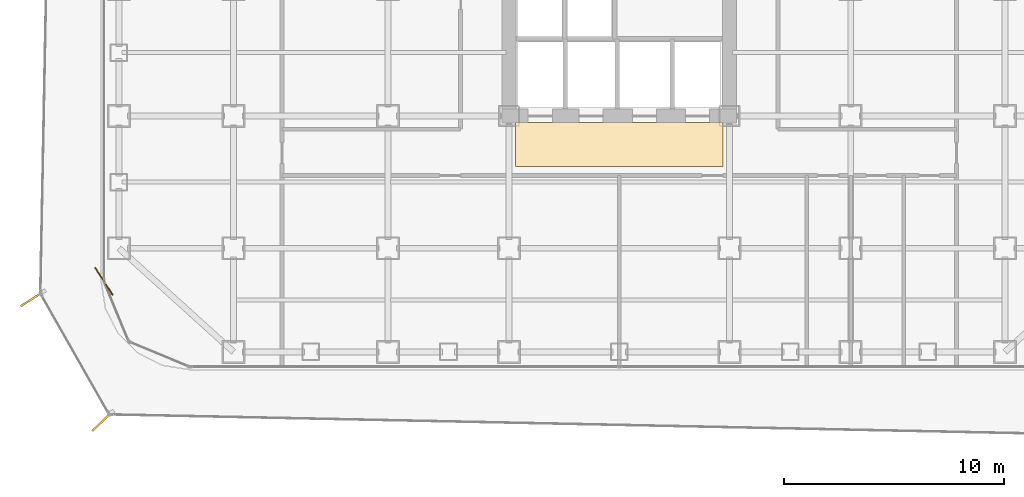
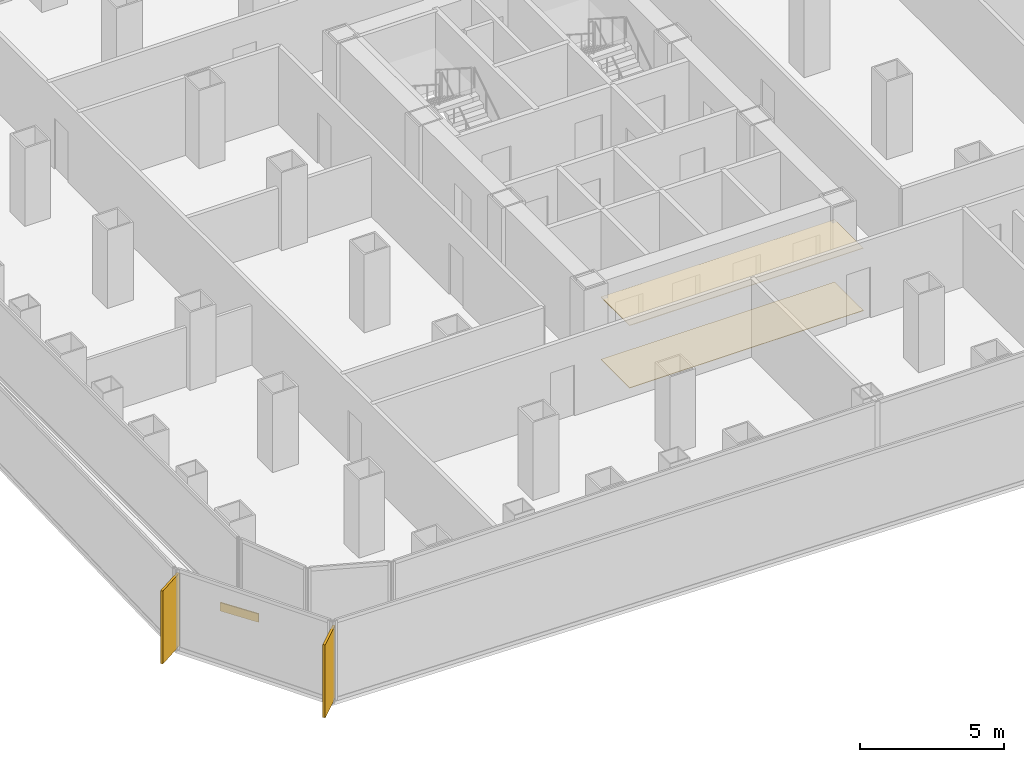
# One storey, part 19 of 21: 3 coverings, 2 shading devices.
"""IFC4 building model written with IfcOpenShell, lengths in metres."""

from ifc_helpers import new_model, si_unit, direction, frame, origin, origin_2d, place, context, subcontext, project, spatial, polyline, rectangle, outline, extrude, source, transform, mapped, material, layer, layer_set, type_object, element, save


model = new_model("IFC4")

# Units and contexts
model_context = context("Model", 3, precision=1e-05, world=origin(), true_north=direction((0.0, 1.0)))
body_context = subcontext(model_context, "Body", "Model", "MODEL_VIEW")
ifc_project = project(units=[si_unit("LENGTHUNIT", "METRE"), si_unit("AREAUNIT", "SQUARE_METRE"), si_unit("VOLUMEUNIT", "CUBIC_METRE"), si_unit("PLANEANGLEUNIT", "RADIAN"), si_unit("MASSUNIT", "GRAM", prefix="KILO")], contexts=[model_context])

# Site, building, storey
site_placement = place(None, origin())
site = spatial("IfcSite", under=ifc_project, at=site_placement, CompositionType="ELEMENT")
building_placement = place(site_placement, origin())
building = spatial("IfcBuilding", under=site, at=building_placement, Name="Kolveth Station Tower", CompositionType="ELEMENT")
storey_placement = place(building_placement, frame((0.0, 0.0, 26.10009765625)))
storey = spatial("IfcBuildingStorey", under=building, at=storey_placement, Name="L06", CompositionType="ELEMENT", Elevation=26.10009765625)

# Coverings
ifc_material_1 = material(Name="Acoustic mineral-fibre ceiling tile")
ifc_layer_1 = layer(ifc_material_1, 0.02490234375)
ifc_layer_set_1 = layer_set([ifc_layer_1], Name="Acoustic mineral-fibre ceiling tile")
covering_type_1 = type_object("IfcCoveringType", Name="Ceil_CL1", PredefinedType="CEILING", material=ifc_layer_set_1)
covering_1_placement = place(storey_placement, frame((0.0, 0.0, 2.64990234375)))
element("IfcCovering", 1, at=covering_1_placement, inside=storey, type_object=covering_type_1, Name="L06 Lift Lobby Suspended Ceiling", PredefinedType="CEILING", context=body_context, shape_type="SweptSolid", body=[
    extrude(outline(polyline([(18.800048828125, 9.199951171875), (28.199951171875, 9.199951171875), (28.199951171875, 11.199951171875), (18.800048828125, 11.199951171875), (18.800048828125, 9.199951171875)])), origin(), (0.0, 0.0, 1.0), 0.02490234375),
])
ifc_material_2 = material(Name="Honed terrazzo flooring")
ifc_layer_2 = layer(ifc_material_2, 0.02001953125)
ifc_layer_set_2 = layer_set([ifc_layer_2], Name="Honed terrazzo flooring")
covering_type_2 = type_object("IfcCoveringType", Name="Floor_FL1", PredefinedType="FLOORING", material=ifc_layer_set_2)
covering_2_placement = place(storey_placement, origin())
element("IfcCovering", 2, at=covering_2_placement, inside=storey, type_object=covering_type_2, Name="L06 Lift Lobby Floor Finish", PredefinedType="FLOORING", context=body_context, shape_type="SweptSolid", body=[
    extrude(outline(polyline([(18.800048828125, 9.199951171875), (28.199951171875, 9.199951171875), (28.199951171875, 11.199951171875), (18.800048828125, 11.199951171875), (18.800048828125, 9.199951171875)])), origin(), (0.0, 0.0, 1.0), 0.02001953125),
])

# Shading devices
ifc_material_3 = material(Name="Black anodized aluminium 6063-T6", Category="aluminium")
shading_device_type = type_object("IfcShadingDeviceType", Name="FIN_VF1", PredefinedType="USERDEFINED", material=ifc_material_3)
shared_shape_1 = source(origin(), body_context, "Body", "SweptSolid", [
    extrude(rectangle(XDim=1.25, YDim=0.090087890625, at=origin_2d()), origin(), (0.0, 0.0, 1.0), 3.10009765625),
])
for number, where, z_axis, x_axis, name in (
    (3, (-3.136962890625, 3.201904296875, -0.000244140625), (0.0, 0.0, 1.0), (-0.842264279204, -0.539064823539, 0.0), "L06 Dark-Aluminium Solar Fin 7"),
    (4, (0.0419921875, -2.35791015625, -0.000244140625), (0.0, 0.0, 1.0), (-0.720066850328, -0.69390469883, 0.0), "L06 Dark-Aluminium Solar Fin 8"),
):
    element("IfcShadingDevice", number, at=place(storey_placement, frame(where, z_axis=z_axis, x_axis=x_axis)), inside=storey, type_object=shading_device_type, Name=name, ObjectType="FIN", PredefinedType="USERDEFINED", context=body_context, shape_type="MappedRepresentation", body=[
        mapped(shared_shape_1, transform((0.0, 0.0, 0.0), x_axis=(1.0, 0.0, 0.0), y_axis=(0.0, 1.0, 0.0), z_axis=(0.0, 0.0, 1.0), scale=1.0)),
    ])

# Covering
ifc_material_4 = material(Name="Charcoal anodized aluminium spandrel cladding", Category="aluminium")
ifc_layer_3 = layer(ifc_material_4, 0.044921875)
ifc_layer_set_3 = layer_set([ifc_layer_3], Name="Charcoal anodized aluminium spandrel cladding")
covering_type_3 = type_object("IfcCoveringType", Name="Clad_CD1", PredefinedType="CLADDING", material=ifc_layer_set_3)
shared_shape_2 = source(origin(), body_context, "Body", "SweptSolid", [
    extrude(rectangle(XDim=1.5, YDim=0.044921875, at=origin_2d()), origin(), (0.0, 0.0, 1.0), 0.360107421875),
])
covering_3_placement = place(storey_placement, frame((0.1201171875, 4.0, 0.0), z_axis=(0.0, 0.0, 1.0), x_axis=(0.539064823539, -0.842264279204, 0.0)))
element("IfcCovering", 5, at=covering_3_placement, inside=storey, type_object=covering_type_3, Name="L06 Spandrel Edge Cladding 7", PredefinedType="CLADDING", context=body_context, shape_type="MappedRepresentation", body=[
    mapped(shared_shape_2, transform((0.0, 0.0, 0.0), x_axis=(1.0, 0.0, 0.0), y_axis=(0.0, 1.0, 0.0), z_axis=(0.0, 0.0, 1.0), scale=1.0)),
])

save(model, "model.ifc")
